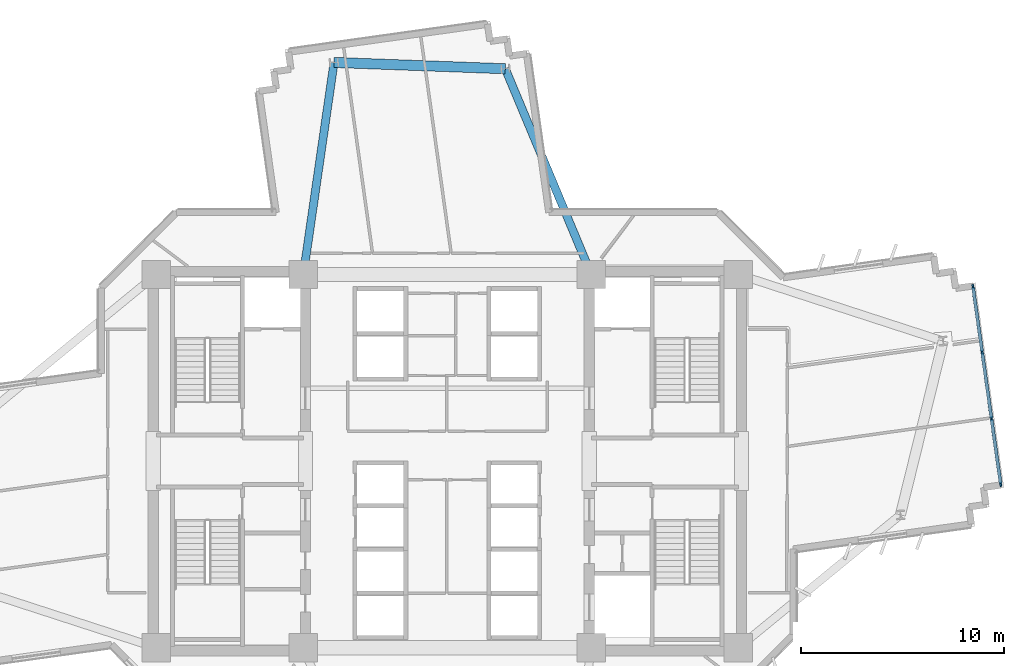
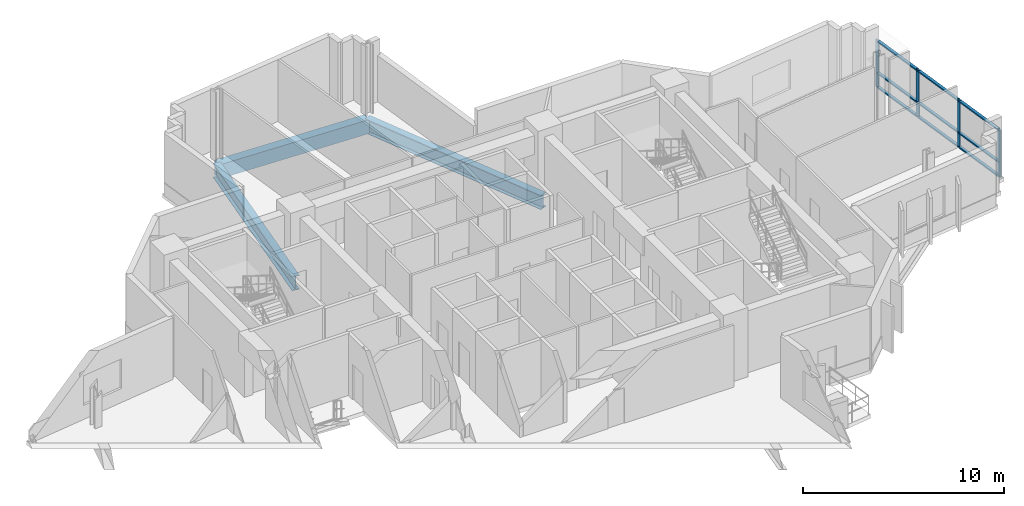
# One storey, part 4 of 14: 13 members, 3 beams, 1 element without a shape of its own.
"""IFC4 building model written with IfcOpenShell, lengths in metres."""

from ifc_helpers import new_model, si_unit, direction, frame, origin, origin_2d, place, context, subcontext, project, spatial, rectangle, i_section, extrude, source, transform, mapped, material, layer, layer_set, material_profile, profile_set, type_object, element, aggregate, save


model = new_model("IFC4")

# Units and contexts
model_context = context("Model", 3, precision=1e-05, world=origin(), true_north=direction((0.0, 1.0)))
body_context = subcontext(model_context, "Body", "Model", "MODEL_VIEW")
ifc_project = project(units=[si_unit("LENGTHUNIT", "METRE"), si_unit("AREAUNIT", "SQUARE_METRE"), si_unit("VOLUMEUNIT", "CUBIC_METRE"), si_unit("PLANEANGLEUNIT", "RADIAN"), si_unit("MASSUNIT", "GRAM", prefix="KILO")], contexts=[model_context])

# Site, building, storey
site_placement = place(None, origin())
site = spatial("IfcSite", under=ifc_project, at=site_placement, CompositionType="ELEMENT")
building_placement = place(site_placement, origin())
building = spatial("IfcBuilding", under=site, at=building_placement, Name="Zahravan Cultural Tower", CompositionType="ELEMENT")
storey_placement = place(building_placement, frame((0.0, 0.0, 121.5)))
storey = spatial("IfcBuildingStorey", under=building, at=storey_placement, Name="L27", CompositionType="ELEMENT", Elevation=121.5)

# Beams
ifc_material_1 = material(Name="Concrete C50/60", Category="concrete")
ifc_material_profile_1 = material_profile(ifc_material_1, rectangle(XDim=0.5, YDim=0.85009765625, at=origin_2d()), Name="RC500X850")
ifc_profile_set_1 = profile_set([ifc_material_profile_1], Name="Concrete C50/60")
beam_type_1 = type_object("IfcBeamType", Name="BM-SP-RC500X850", PredefinedType="SPANDREL", material=ifc_profile_set_1)
shared_shape_1 = source(origin(), body_context, "Body", "SweptSolid", [
    extrude(rectangle(XDim=0.5, YDim=0.85009765625, at=origin_2d()), origin(), (0.0, 0.0, 1.0), 8.4482421875),
])
beam_1_placement = place(storey_placement, frame((38.857421875, 46.346435546875, -0.675048828125), z_axis=(-0.999318826256, 0.036903705643, 0.0), x_axis=(-0.036903705643, -0.999318826256, 0.0)))
element("IfcBeam", 1, at=beam_1_placement, inside=storey, type_object=beam_type_1, Name="L27 Beam SP-L27-17", PredefinedType="SPANDREL", context=body_context, shape_type="MappedRepresentation", body=[
    mapped(shared_shape_1, transform((0.0, 0.0, 0.0), x_axis=(1.0, 0.0, 0.0), y_axis=(0.0, 1.0, 0.0), z_axis=(0.0, 0.0, 1.0), scale=1.0)),
])
ifc_material_2 = material(Name="Steel ASTM A992 Grade 50", Category="steel")
ifc_material_profile_2 = material_profile(ifc_material_2, i_section(OverallWidth=0.39990234375, OverallDepth=0.862060546875, WebThickness=0.019775390625, FlangeThickness=0.032470703125, FilletRadius=0.02001953125, at=origin_2d()), Name="W33X221")
ifc_profile_set_2 = profile_set([ifc_material_profile_2], Name="Steel ASTM A992 Grade 50")
beam_type_2 = type_object("IfcBeamType", Name="BM-G-W33X221", PredefinedType="BEAM", material=ifc_profile_set_2)
shared_shape_2 = source(origin(), body_context, "Body", "SweptSolid", [
    extrude(i_section(OverallWidth=0.39990234375, OverallDepth=0.862060546875, WebThickness=0.019775390625, FlangeThickness=0.032470703125, FilletRadius=0.02001953125, at=origin_2d()), origin(), (0.0, 0.0, 1.0), 10.997802734375),
])
beam_2_placement = place(storey_placement, frame((43.10009765625, 36.199951171875, -0.680908203125), z_axis=(-0.385775211449, 0.922592806297, 0.0), x_axis=(-0.922592806297, -0.385775211449, 0.0)))
element("IfcBeam", 2, at=beam_2_placement, inside=storey, type_object=beam_type_2, Name="L27 Beam BG-L27-12", PredefinedType="BEAM", context=body_context, shape_type="MappedRepresentation", body=[
    mapped(shared_shape_2, transform((0.0, 0.0, 0.0), x_axis=(1.0, 0.0, 0.0), y_axis=(0.0, 1.0, 0.0), z_axis=(0.0, 0.0, 1.0), scale=1.0)),
])
shared_shape_3 = source(origin(), body_context, "Body", "SweptSolid", [
    extrude(i_section(OverallWidth=0.39990234375, OverallDepth=0.862060546875, WebThickness=0.019775390625, FlangeThickness=0.032470703125, FilletRadius=0.02001953125, at=origin_2d()), origin(), (0.0, 0.0, 1.0), 10.5673828125),
])
beam_3_placement = place(storey_placement, frame((28.89990234375, 36.199951171875, -0.680908203125), z_axis=(0.143377913539, 0.989668011966, 0.0), x_axis=(-0.989668011966, 0.143377913539, 0.0)))
element("IfcBeam", 3, at=beam_3_placement, inside=storey, type_object=beam_type_2, Name="L27 Beam BG-L27-13", PredefinedType="BEAM", context=body_context, shape_type="MappedRepresentation", body=[
    mapped(shared_shape_3, transform((0.0, 0.0, 0.0), x_axis=(1.0, 0.0, 0.0), y_axis=(0.0, 1.0, 0.0), z_axis=(0.0, 0.0, 1.0), scale=1.0)),
])

# Curtain wall, members
ifc_material_3 = material(Name="Anodised bronze-aluminium mullion", Category="aluminium")
ifc_layer = layer(ifc_material_3, 0.219970703125)
ifc_layer_set = layer_set([ifc_layer], Name="Anodised bronze-aluminium mullion")
curtain_wall_type = type_object("IfcCurtainWallType", Name="CW-SYS-1", PredefinedType="USERDEFINED", material=ifc_layer_set)
curtain_wall_placement = place(storey_placement, origin())
curtain_wall = element("IfcCurtainWall", 4, at=curtain_wall_placement, inside=storey, type_object=curtain_wall_type, Name="L27 Recessed Curtain Wall CW-1.1", ObjectType="RECESSED GLAZING", PredefinedType="USERDEFINED")
ifc_material_profile_3 = material_profile(ifc_material_3, rectangle(XDim=0.159912109375, YDim=0.080078125, at=origin_2d()), Name="AL-T80X160")
ifc_profile_set_3 = profile_set([ifc_material_profile_3], Name="Anodised bronze-aluminium mullion")
member_type_1 = type_object("IfcMemberType", Name="CWT-CW-1", PredefinedType="USERDEFINED", material=ifc_profile_set_3)
shared_shape_4 = source(origin(), body_context, "Body", "SweptSolid", [
    extrude(rectangle(XDim=0.159912109375, YDim=0.080078125, at=origin_2d()), origin(), (0.0, 0.0, 1.0), 3.186767578125),
])
member_1_placement = place(storey_placement, frame((61.92236328125, 35.561767578125, 0.0400390625), z_axis=(0.138814644178, -0.990318380402, 0.0), x_axis=(0.990318380402, 0.138814644178, 0.0)))
member_1 = element("IfcMember", 5, at=member_1_placement, type_object=member_type_1, Name="CW-1 transom 1.1", ObjectType="TRANSOM", PredefinedType="USERDEFINED", context=body_context, shape_type="MappedRepresentation", body=[
    mapped(shared_shape_4, transform((0.0, 0.0, 0.0), x_axis=(1.0, 0.0, 0.0), y_axis=(0.0, 1.0, 0.0), z_axis=(0.0, 0.0, 1.0), scale=1.0)),
])
member_2_placement = place(storey_placement, frame((61.92236328125, 35.561767578125, 0.89990234375), z_axis=(0.138814644178, -0.990318380402, 0.0), x_axis=(0.990318380402, 0.138814644178, 0.0)))
member_2 = element("IfcMember", 6, at=member_2_placement, type_object=member_type_1, Name="CW-1 transom 1.2", ObjectType="TRANSOM", PredefinedType="USERDEFINED", context=body_context, shape_type="MappedRepresentation", body=[
    mapped(shared_shape_4, transform((0.0, 0.0, 0.0), x_axis=(1.0, 0.0, 0.0), y_axis=(0.0, 1.0, 0.0), z_axis=(0.0, 0.0, 1.0), scale=1.0)),
])
member_3_placement = place(storey_placement, frame((61.92236328125, 35.561767578125, 2.830078125), z_axis=(0.138814644178, -0.990318380402, 0.0), x_axis=(0.990318380402, 0.138814644178, 0.0)))
member_3 = element("IfcMember", 7, at=member_3_placement, type_object=member_type_1, Name="CW-1 transom 1.3", ObjectType="TRANSOM", PredefinedType="USERDEFINED", context=body_context, shape_type="MappedRepresentation", body=[
    mapped(shared_shape_4, transform((0.0, 0.0, 0.0), x_axis=(1.0, 0.0, 0.0), y_axis=(0.0, 1.0, 0.0), z_axis=(0.0, 0.0, 1.0), scale=1.0)),
])
shared_shape_5 = source(origin(), body_context, "Body", "SweptSolid", [
    extrude(rectangle(XDim=0.159912109375, YDim=0.080078125, at=origin_2d()), origin(), (0.0, 0.0, 1.0), 3.226806640625),
])
member_4_placement = place(storey_placement, frame((62.3759765625, 32.32666015625, 0.0400390625), z_axis=(0.138836324478, -0.990315341195, 0.0), x_axis=(0.990315341195, 0.138836324478, 0.0)))
member_4 = element("IfcMember", 8, at=member_4_placement, type_object=member_type_1, Name="CW-1 transom 2.1", ObjectType="TRANSOM", PredefinedType="USERDEFINED", context=body_context, shape_type="MappedRepresentation", body=[
    mapped(shared_shape_5, transform((0.0, 0.0, 0.0), x_axis=(1.0, 0.0, 0.0), y_axis=(0.0, 1.0, 0.0), z_axis=(0.0, 0.0, 1.0), scale=1.0)),
])
member_5_placement = place(storey_placement, frame((62.3759765625, 32.32666015625, 0.89990234375), z_axis=(0.138836324478, -0.990315341195, 0.0), x_axis=(0.990315341195, 0.138836324478, 0.0)))
member_5 = element("IfcMember", 9, at=member_5_placement, type_object=member_type_1, Name="CW-1 transom 2.2", ObjectType="TRANSOM", PredefinedType="USERDEFINED", context=body_context, shape_type="MappedRepresentation", body=[
    mapped(shared_shape_5, transform((0.0, 0.0, 0.0), x_axis=(1.0, 0.0, 0.0), y_axis=(0.0, 1.0, 0.0), z_axis=(0.0, 0.0, 1.0), scale=1.0)),
])
member_6_placement = place(storey_placement, frame((62.3759765625, 32.32666015625, 2.830078125), z_axis=(0.138836324478, -0.990315341195, 0.0), x_axis=(0.990315341195, 0.138836324478, 0.0)))
member_6 = element("IfcMember", 10, at=member_6_placement, type_object=member_type_1, Name="CW-1 transom 2.3", ObjectType="TRANSOM", PredefinedType="USERDEFINED", context=body_context, shape_type="MappedRepresentation", body=[
    mapped(shared_shape_5, transform((0.0, 0.0, 0.0), x_axis=(1.0, 0.0, 0.0), y_axis=(0.0, 1.0, 0.0), z_axis=(0.0, 0.0, 1.0), scale=1.0)),
])
shared_shape_6 = source(origin(), body_context, "Body", "SweptSolid", [
    extrude(rectangle(XDim=0.159912109375, YDim=0.080078125, at=origin_2d()), origin(), (0.0, 0.0, 1.0), 3.1865234375),
])
member_7_placement = place(storey_placement, frame((62.8349609375, 29.052001953125, 0.0400390625), z_axis=(0.138825176396, -0.990316904025, 0.0), x_axis=(0.990316904025, 0.138825176396, 0.0)))
member_7 = element("IfcMember", 11, at=member_7_placement, type_object=member_type_1, Name="CW-1 transom 3.1", ObjectType="TRANSOM", PredefinedType="USERDEFINED", context=body_context, shape_type="MappedRepresentation", body=[
    mapped(shared_shape_6, transform((0.0, 0.0, 0.0), x_axis=(1.0, 0.0, 0.0), y_axis=(0.0, 1.0, 0.0), z_axis=(0.0, 0.0, 1.0), scale=1.0)),
])
member_8_placement = place(storey_placement, frame((62.8349609375, 29.052001953125, 0.89990234375), z_axis=(0.138825176396, -0.990316904025, 0.0), x_axis=(0.990316904025, 0.138825176396, 0.0)))
member_8 = element("IfcMember", 12, at=member_8_placement, type_object=member_type_1, Name="CW-1 transom 3.2", ObjectType="TRANSOM", PredefinedType="USERDEFINED", context=body_context, shape_type="MappedRepresentation", body=[
    mapped(shared_shape_6, transform((0.0, 0.0, 0.0), x_axis=(1.0, 0.0, 0.0), y_axis=(0.0, 1.0, 0.0), z_axis=(0.0, 0.0, 1.0), scale=1.0)),
])
member_9_placement = place(storey_placement, frame((62.8349609375, 29.052001953125, 2.830078125), z_axis=(0.138825176396, -0.990316904025, 0.0), x_axis=(0.990316904025, 0.138825176396, 0.0)))
member_9 = element("IfcMember", 13, at=member_9_placement, type_object=member_type_1, Name="CW-1 transom 3.3", ObjectType="TRANSOM", PredefinedType="USERDEFINED", context=body_context, shape_type="MappedRepresentation", body=[
    mapped(shared_shape_6, transform((0.0, 0.0, 0.0), x_axis=(1.0, 0.0, 0.0), y_axis=(0.0, 1.0, 0.0), z_axis=(0.0, 0.0, 1.0), scale=1.0)),
])
ifc_material_profile_4 = material_profile(ifc_material_3, rectangle(XDim=0.080078125, YDim=0.219970703125, at=origin_2d()), Name="AL-M80X220")
ifc_profile_set_4 = profile_set([ifc_material_profile_4], Name="Anodised bronze-aluminium mullion")
member_type_2 = type_object("IfcMemberType", Name="CWM-CW-1", PredefinedType="MULLION", material=ifc_profile_set_4)
shared_shape_7 = source(origin(), body_context, "Body", "SweptSolid", [
    extrude(rectangle(XDim=0.080078125, YDim=0.219970703125, at=origin_2d()), origin(), (0.0, 0.0, 1.0), 2.8701171875),
])
member_10_placement = place(storey_placement, frame((61.916748046875, 35.601318359375, 0.0), z_axis=(0.0, 0.0, 1.0), x_axis=(0.99031626157, 0.138829759313, 0.0)))
member_10 = element("IfcMember", 14, at=member_10_placement, type_object=member_type_2, Name="CW-1 mullion 1", PredefinedType="MULLION", context=body_context, shape_type="MappedRepresentation", body=[
    mapped(shared_shape_7, transform((0.0, 0.0, 0.0), x_axis=(1.0, 0.0, 0.0), y_axis=(0.0, 1.0, 0.0), z_axis=(0.0, 0.0, 1.0), scale=1.0)),
])
member_11_placement = place(storey_placement, frame((62.370361328125, 32.3662109375, 0.0), z_axis=(0.0, 0.0, 1.0), x_axis=(0.99031626157, 0.138829759313, 0.0)))
member_11 = element("IfcMember", 15, at=member_11_placement, type_object=member_type_2, Name="CW-1 mullion 2", PredefinedType="MULLION", context=body_context, shape_type="MappedRepresentation", body=[
    mapped(shared_shape_7, transform((0.0, 0.0, 0.0), x_axis=(1.0, 0.0, 0.0), y_axis=(0.0, 1.0, 0.0), z_axis=(0.0, 0.0, 1.0), scale=1.0)),
])
member_12_placement = place(storey_placement, frame((62.829345703125, 29.091552734375, 0.0), z_axis=(0.0, 0.0, 1.0), x_axis=(0.99031626157, 0.138829759313, 0.0)))
member_12 = element("IfcMember", 16, at=member_12_placement, type_object=member_type_2, Name="CW-1 mullion 3", PredefinedType="MULLION", context=body_context, shape_type="MappedRepresentation", body=[
    mapped(shared_shape_7, transform((0.0, 0.0, 0.0), x_axis=(1.0, 0.0, 0.0), y_axis=(0.0, 1.0, 0.0), z_axis=(0.0, 0.0, 1.0), scale=1.0)),
])
member_13_placement = place(storey_placement, frame((63.282958984375, 25.8564453125, 0.0), z_axis=(0.0, 0.0, 1.0), x_axis=(0.99031626157, 0.138829759313, 0.0)))
member_13 = element("IfcMember", 17, at=member_13_placement, type_object=member_type_2, Name="CW-1 mullion 4", PredefinedType="MULLION", context=body_context, shape_type="MappedRepresentation", body=[
    mapped(shared_shape_7, transform((0.0, 0.0, 0.0), x_axis=(1.0, 0.0, 0.0), y_axis=(0.0, 1.0, 0.0), z_axis=(0.0, 0.0, 1.0), scale=1.0)),
])
aggregate(curtain_wall, [member_10, member_11, member_12, member_13, member_1, member_2, member_3, member_4, member_5, member_6, member_7, member_8, member_9])

save(model, "model.ifc")
